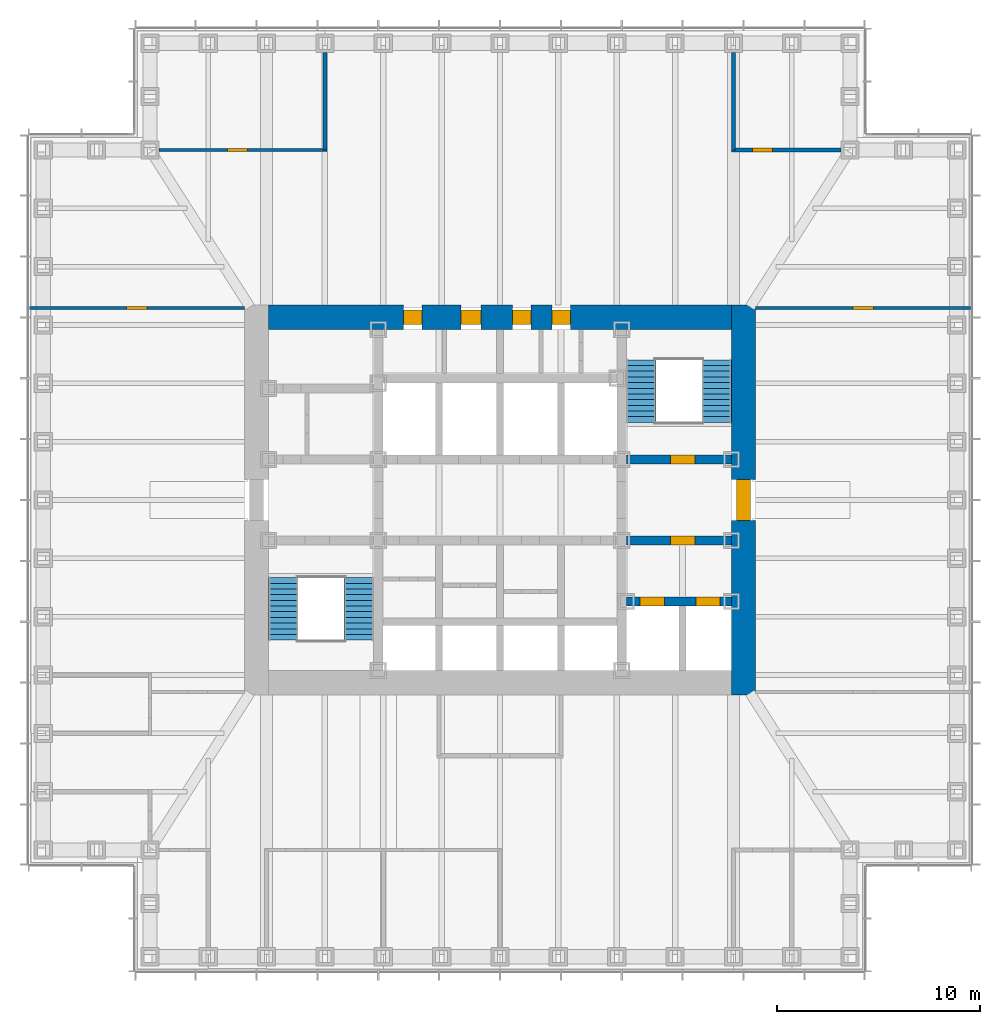
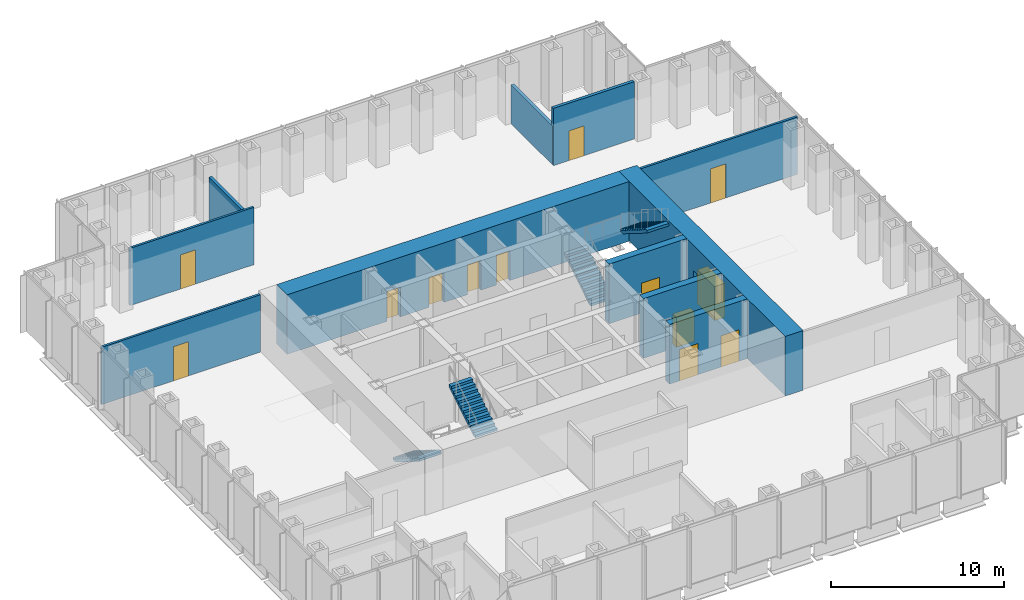
# One storey, part 10 of 16: 13 doors, 11 walls, 4 stair flights, 13 openings, 2 elements without a shape of their own.
"""IFC4 building model written with IfcOpenShell, lengths in metres."""

from ifc_helpers import new_model, si_unit, direction, frame, frame_2d, origin, place, context, subcontext, project, spatial, polyline, rectangle, outline, extrude, material, layer, layer_set, type_object, element, fill, aggregate, save


model = new_model("IFC4")

# Units and contexts
model_context = context("Model", 3, precision=1e-05, world=origin(), true_north=direction((0.0, 1.0)))
body_context = subcontext(model_context, "Body", "Model", "MODEL_VIEW")
ifc_project = project(units=[si_unit("LENGTHUNIT", "METRE"), si_unit("AREAUNIT", "SQUARE_METRE"), si_unit("VOLUMEUNIT", "CUBIC_METRE"), si_unit("PLANEANGLEUNIT", "RADIAN"), si_unit("MASSUNIT", "GRAM", prefix="KILO")], contexts=[model_context])

# Site, building, storey
site_placement = place(None, origin())
site = spatial("IfcSite", under=ifc_project, at=site_placement, CompositionType="ELEMENT")
building_placement = place(site_placement, origin())
building = spatial("IfcBuilding", under=site, at=building_placement, Name="Daluyong Arena Tower", CompositionType="ELEMENT")
storey_placement = place(building_placement, frame((0.0, 0.0, 116.5)))
storey = spatial("IfcBuildingStorey", under=building, at=storey_placement, Name="L25", CompositionType="ELEMENT", Elevation=116.5)

# Wall, openings, doors
ifc_material_1 = material(Name="Concrete fc' 45 MPa", Category="concrete")
ifc_layer_1 = layer(ifc_material_1, 0.449951171875)
ifc_layer_set_1 = layer_set([ifc_layer_1], Name="Concrete fc' 45 MPa")
wall_type_1 = type_object("IfcWallType", Name="Core inner wall 450", PredefinedType="SHEAR", material=ifc_layer_set_1)
wall_1_placement = place(storey_placement, frame((62.22509765625, 75.0, 0.0), z_axis=(0.0, 0.0, 1.0), x_axis=(1.0, 0.0, 0.0)))
wall_1 = element("IfcWall", 1, at=wall_1_placement, inside=storey, type_object=wall_type_1, Name="core inner wall at L25", PredefinedType="SHEAR", context=body_context, shape_type="SweptSolid", body=[
    extrude(rectangle(XDim=5.1748046875, YDim=0.449951171875, at=frame_2d((2.58740234375, 0.0))), origin(), (0.0, 0.0, 1.0), 4.199951171875),
])
opening_1_placement = place(wall_1_placement, frame((0.675048828125, 0.0, 0.0)))
opening_1 = element("IfcOpeningElement", 2, at=opening_1_placement, cuts=wall_1, Name="Opening 25027", PredefinedType="OPENING", context=body_context, shape_type="SweptSolid", body=[
    extrude(rectangle(XDim=1.199951171875, YDim=2.199951171875, at=frame_2d((0.60009765625, 1.10009765625))), frame((0.0, 0.23486328125, 0.0), z_axis=(0.0, -1.0, 0.0), x_axis=(1.0, 0.0, 0.0)), (0.0, 0.0, 1.0), 0.469970703125),
])
opening_2_placement = place(wall_1_placement, frame((3.425048828125, 0.0, 0.0)))
opening_2 = element("IfcOpeningElement", 3, at=opening_2_placement, cuts=wall_1, Name="Opening 25028", PredefinedType="OPENING", context=body_context, shape_type="SweptSolid", body=[
    extrude(rectangle(XDim=1.199951171875, YDim=2.199951171875, at=frame_2d((0.60009765625, 1.10009765625))), frame((0.0, 0.23486328125, 0.0), z_axis=(0.0, -1.0, 0.0), x_axis=(1.0, 0.0, 0.0)), (0.0, 0.0, 1.0), 0.469970703125),
])
ifc_material_2 = material(Name="Steel door, fire rated", Category="steel")
door_type_1 = type_object("IfcDoorType", Name="Firefighting lift landing door 1200", OperationType="SLIDING_TO_LEFT", PredefinedType="DOOR", material=ifc_material_2)
door_1_placement = place(opening_1_placement, origin())
door_1 = element("IfcDoor", 4, at=door_1_placement, inside=storey, type_object=door_type_1, Name="firefighting lift landing door F1 25027", OperationType="SLIDING_TO_LEFT", OverallHeight=2.199951171875, OverallWidth=1.199951171875, PredefinedType="DOOR", context=body_context, shape_type="SweptSolid", body=[
    extrude(rectangle(XDim=1.199951171875, YDim=2.199951171875, at=frame_2d((0.60009765625, 1.10009765625))), frame((0.0, 0.224609375, 0.0), z_axis=(0.0, -1.0, 0.0), x_axis=(1.0, 0.0, 0.0)), (0.0, 0.0, 1.0), 0.449462890625),
])
fill(opening_1, door_1)
door_2_placement = place(opening_2_placement, origin())
door_2 = element("IfcDoor", 5, at=door_2_placement, inside=storey, type_object=door_type_1, Name="firefighting lift landing door F2 25028", OperationType="SLIDING_TO_LEFT", OverallHeight=2.199951171875, OverallWidth=1.199951171875, PredefinedType="DOOR", context=body_context, shape_type="SweptSolid", body=[
    extrude(rectangle(XDim=1.199951171875, YDim=2.199951171875, at=frame_2d((0.60009765625, 1.10009765625))), frame((0.0, 0.224609375, 0.0), z_axis=(0.0, -1.0, 0.0), x_axis=(1.0, 0.0, 0.0)), (0.0, 0.0, 1.0), 0.449462890625),
])
fill(opening_2, door_2)

# Wall, opening, door
wall_2_placement = place(storey_placement, frame((62.22509765625, 78.0, 0.0), z_axis=(0.0, 0.0, 1.0), x_axis=(1.0, 0.0, 0.0)))
wall_2 = element("IfcWall", 6, at=wall_2_placement, inside=storey, type_object=wall_type_1, Name="core inner wall at L25", PredefinedType="SHEAR", context=body_context, shape_type="SweptSolid", body=[
    extrude(rectangle(XDim=5.1748046875, YDim=0.449951171875, at=frame_2d((2.58740234375, 0.0))), origin(), (0.0, 0.0, 1.0), 4.199951171875),
])
opening_3_placement = place(wall_2_placement, frame((2.175048828125, 0.0, 0.0)))
opening_3 = element("IfcOpeningElement", 7, at=opening_3_placement, cuts=wall_2, Name="Opening 25022", PredefinedType="OPENING", context=body_context, shape_type="SweptSolid", body=[
    extrude(rectangle(XDim=1.199951171875, YDim=2.10009765625, at=frame_2d((0.60009765625, 1.050048828125))), frame((0.0, 0.23486328125, 0.0), z_axis=(0.0, -1.0, 0.0), x_axis=(1.0, 0.0, 0.0)), (0.0, 0.0, 1.0), 0.469970703125),
])
ifc_material_3 = material(Name="Steel door, fire rated", Category="steel")
door_type_2 = type_object("IfcDoorType", Name="Firefighting lobby door 1200", OperationType="SINGLE_SWING_RIGHT", PredefinedType="DOOR", material=ifc_material_3)
door_3_placement = place(opening_3_placement, origin())
door_3 = element("IfcDoor", 8, at=door_3_placement, inside=storey, type_object=door_type_2, Name="firefighting lobby door 25022", OperationType="SINGLE_SWING_RIGHT", OverallHeight=2.10009765625, OverallWidth=1.199951171875, PredefinedType="DOOR", context=body_context, shape_type="SweptSolid", body=[
    extrude(rectangle(XDim=1.199951171875, YDim=2.10009765625, at=frame_2d((0.60009765625, 1.050048828125))), frame((0.0, 0.224609375, 0.0), z_axis=(0.0, -1.0, 0.0), x_axis=(1.0, 0.0, 0.0)), (0.0, 0.0, 1.0), 0.449462890625),
])
fill(opening_3, door_3)

wall_3_placement = place(storey_placement, frame((62.22509765625, 82.0, 0.0), z_axis=(0.0, 0.0, 1.0), x_axis=(1.0, 0.0, 0.0)))
wall_3 = element("IfcWall", 9, at=wall_3_placement, inside=storey, type_object=wall_type_1, Name="core inner wall at L25", PredefinedType="SHEAR", context=body_context, shape_type="SweptSolid", body=[
    extrude(rectangle(XDim=5.1748046875, YDim=0.449951171875, at=frame_2d((2.58740234375, 0.0))), origin(), (0.0, 0.0, 1.0), 4.199951171875),
])
opening_4_placement = place(wall_3_placement, frame((2.175048828125, 0.0, 0.0)))
opening_4 = element("IfcOpeningElement", 10, at=opening_4_placement, cuts=wall_3, Name="Opening 25017", PredefinedType="OPENING", context=body_context, shape_type="SweptSolid", body=[
    extrude(rectangle(XDim=1.199951171875, YDim=2.10009765625, at=frame_2d((0.60009765625, 1.050048828125))), frame((0.0, 0.23486328125, 0.0), z_axis=(0.0, -1.0, 0.0), x_axis=(1.0, 0.0, 0.0)), (0.0, 0.0, 1.0), 0.469970703125),
])
ifc_material_4 = material(Name="Steel door, fire rated", Category="steel")
door_type_3 = type_object("IfcDoorType", Name="Stair door 1200", OperationType="SINGLE_SWING_LEFT", PredefinedType="DOOR", material=ifc_material_4)
door_4_placement = place(opening_4_placement, origin())
door_4 = element("IfcDoor", 11, at=door_4_placement, inside=storey, type_object=door_type_3, Name="stair B door 25017", OperationType="SINGLE_SWING_LEFT", OverallHeight=2.10009765625, OverallWidth=1.199951171875, PredefinedType="DOOR", context=body_context, shape_type="SweptSolid", body=[
    extrude(rectangle(XDim=1.199951171875, YDim=2.10009765625, at=frame_2d((0.60009765625, 1.050048828125))), frame((0.0, 0.224609375, 0.0), z_axis=(0.0, -1.0, 0.0), x_axis=(1.0, 0.0, 0.0)), (0.0, 0.0, 1.0), 0.449462890625),
])
fill(opening_4, door_4)

ifc_material_5 = material(Name="Concrete fc' 60 MPa", Category="concrete")
ifc_layer_2 = layer(ifc_material_5, 1.199951171875)
ifc_layer_set_2 = layer_set([ifc_layer_2], Name="Concrete fc' 60 MPa")
wall_type_2 = type_object("IfcWallType", Name="Core wall 1200", PredefinedType="SHEAR", material=ifc_layer_set_2)
wall_4_placement = place(storey_placement, frame((68.0, 70.39990234375, 0.0), z_axis=(0.0, 0.0, 1.0), x_axis=(0.0, 1.0, 0.0)))
wall_4 = element("IfcWall", 12, at=wall_4_placement, inside=storey, type_object=wall_type_2, Name="core wall at L25", PredefinedType="SHEAR", context=body_context, shape_type="SweptSolid", body=[
    extrude(rectangle(XDim=19.2001953125, YDim=1.199951171875, at=frame_2d((9.60009765625, 0.0))), origin(), (0.0, 0.0, 1.0), 4.199951171875),
])
opening_5_placement = place(wall_4_placement, frame((8.60009765625, 0.0, 0.0)))
opening_5 = element("IfcOpeningElement", 13, at=opening_5_placement, cuts=wall_4, Name="Opening 25019", PredefinedType="OPENING", context=body_context, shape_type="SweptSolid", body=[
    extrude(rectangle(XDim=2.0, YDim=2.39990234375, at=frame_2d((1.0, 1.199951171875))), frame((0.0, 0.60986328125, 0.0), z_axis=(0.0, -1.0, 0.0), x_axis=(1.0, 0.0, 0.0)), (0.0, 0.0, 1.0), 1.219970703125),
])
ifc_material_6 = material(Name="Steel door, fire rated", Category="steel")
door_type_4 = type_object("IfcDoorType", Name="Core lobby double door 2000", OperationType="DOUBLE_DOOR_SINGLE_SWING", PredefinedType="DOOR", material=ifc_material_6)
door_5_placement = place(opening_5_placement, origin())
door_5 = element("IfcDoor", 14, at=door_5_placement, inside=storey, type_object=door_type_4, Name="core lobby door east 25019", OperationType="DOUBLE_DOOR_SINGLE_SWING", OverallHeight=2.39990234375, OverallWidth=2.0, PredefinedType="DOOR", context=body_context, shape_type="SweptSolid", body=[
    extrude(rectangle(XDim=2.0, YDim=2.39990234375, at=frame_2d((1.0, 1.199951171875))), frame((0.0, 0.35009765625, 0.0), z_axis=(0.0, -1.0, 0.0), x_axis=(1.0, 0.0, 0.0)), (0.0, 0.0, 1.0), 0.699951171875),
])
fill(opening_5, door_5)

# Wall, openings, doors
wall_5_placement = place(storey_placement, frame((44.60009765625, 89.0, 0.0), z_axis=(0.0, 0.0, 1.0), x_axis=(1.0, 0.0, 0.0)))
wall_5 = element("IfcWall", 15, at=wall_5_placement, inside=storey, type_object=wall_type_2, Name="core wall at L25", PredefinedType="SHEAR", context=body_context, shape_type="SweptSolid", body=[
    extrude(rectangle(XDim=22.7998046875, YDim=1.199951171875, at=frame_2d((11.39990234375, 0.0))), origin(), (0.0, 0.0, 1.0), 4.199951171875),
])
opening_6_placement = place(wall_5_placement, frame((9.47509765625, 0.0, 0.0)))
opening_6 = element("IfcOpeningElement", 16, at=opening_6_placement, cuts=wall_5, Name="Opening 25004", PredefinedType="OPENING", context=body_context, shape_type="SweptSolid", body=[
    extrude(rectangle(XDim=1.0, YDim=2.10009765625, at=frame_2d((0.5, 1.050048828125))), frame((0.0, 0.60986328125, 0.0), z_axis=(0.0, -1.0, 0.0), x_axis=(1.0, 0.0, 0.0)), (0.0, 0.0, 1.0), 1.219970703125),
])
opening_7_placement = place(wall_5_placement, frame((6.64990234375, 0.0, 0.0)))
opening_7 = element("IfcOpeningElement", 17, at=opening_7_placement, cuts=wall_5, Name="Opening 25005", PredefinedType="OPENING", context=body_context, shape_type="SweptSolid", body=[
    extrude(rectangle(XDim=0.89990234375, YDim=2.10009765625, at=frame_2d((0.449951171875, 1.050048828125))), frame((0.0, 0.60986328125, 0.0), z_axis=(0.0, -1.0, 0.0), x_axis=(1.0, 0.0, 0.0)), (0.0, 0.0, 1.0), 1.219970703125),
])
opening_8_placement = place(wall_5_placement, frame((12.02490234375, 0.0, 0.0)))
opening_8 = element("IfcOpeningElement", 18, at=opening_8_placement, cuts=wall_5, Name="Opening 25006", PredefinedType="OPENING", context=body_context, shape_type="SweptSolid", body=[
    extrude(rectangle(XDim=0.89990234375, YDim=2.10009765625, at=frame_2d((0.449951171875, 1.050048828125))), frame((0.0, 0.60986328125, 0.0), z_axis=(0.0, -1.0, 0.0), x_axis=(1.0, 0.0, 0.0)), (0.0, 0.0, 1.0), 1.219970703125),
])
opening_9_placement = place(wall_5_placement, frame((13.96240234375, 0.0, 0.0)))
opening_9 = element("IfcOpeningElement", 19, at=opening_9_placement, cuts=wall_5, Name="Opening 25007", PredefinedType="OPENING", context=body_context, shape_type="SweptSolid", body=[
    extrude(rectangle(XDim=0.89990234375, YDim=2.10009765625, at=frame_2d((0.449951171875, 1.050048828125))), frame((0.0, 0.60986328125, 0.0), z_axis=(0.0, -1.0, 0.0), x_axis=(1.0, 0.0, 0.0)), (0.0, 0.0, 1.0), 1.219970703125),
])
ifc_material_7 = material(Name="Timber door", Category="wood")
door_type_5 = type_object("IfcDoorType", Name="Accessible toilet door 1000", OperationType="SINGLE_SWING_LEFT", PredefinedType="DOOR", material=ifc_material_7)
door_6_placement = place(opening_6_placement, origin())
door_6 = element("IfcDoor", 20, at=door_6_placement, inside=storey, type_object=door_type_5, Name="accessible toilet door 25004", OperationType="SINGLE_SWING_LEFT", OverallHeight=2.10009765625, OverallWidth=1.0, PredefinedType="DOOR", context=body_context, shape_type="SweptSolid", body=[
    extrude(rectangle(XDim=1.0, YDim=2.10009765625, at=frame_2d((0.5, 1.050048828125))), frame((0.0, 0.35009765625, 0.0), z_axis=(0.0, -1.0, 0.0), x_axis=(1.0, 0.0, 0.0)), (0.0, 0.0, 1.0), 0.699951171875),
])
fill(opening_6, door_6)
ifc_material_8 = material(Name="Steel door, fire rated", Category="steel")
door_type_6 = type_object("IfcDoorType", Name="Core room door 900", OperationType="SINGLE_SWING_LEFT", PredefinedType="DOOR", material=ifc_material_8)
door_7_placement = place(opening_7_placement, origin())
door_7 = element("IfcDoor", 21, at=door_7_placement, inside=storey, type_object=door_type_6, Name="parcel room door 25005", OperationType="SINGLE_SWING_LEFT", OverallHeight=2.10009765625, OverallWidth=0.89990234375, PredefinedType="DOOR", context=body_context, shape_type="SweptSolid", body=[
    extrude(rectangle(XDim=0.89990234375, YDim=2.10009765625, at=frame_2d((0.449951171875, 1.050048828125))), frame((0.0, 0.35009765625, 0.0), z_axis=(0.0, -1.0, 0.0), x_axis=(1.0, 0.0, 0.0)), (0.0, 0.0, 1.0), 0.699951171875),
])
fill(opening_7, door_7)
door_8_placement = place(opening_8_placement, origin())
door_8 = element("IfcDoor", 22, at=door_8_placement, inside=storey, type_object=door_type_6, Name="mail room door 25006", OperationType="SINGLE_SWING_LEFT", OverallHeight=2.10009765625, OverallWidth=0.89990234375, PredefinedType="DOOR", context=body_context, shape_type="SweptSolid", body=[
    extrude(rectangle(XDim=0.89990234375, YDim=2.10009765625, at=frame_2d((0.449951171875, 1.050048828125))), frame((0.0, 0.35009765625, 0.0), z_axis=(0.0, -1.0, 0.0), x_axis=(1.0, 0.0, 0.0)), (0.0, 0.0, 1.0), 0.699951171875),
])
fill(opening_8, door_8)
ifc_material_9 = material(Name="Steel door, fire rated", Category="steel")
door_type_7 = type_object("IfcDoorType", Name="Core store door 900", OperationType="SINGLE_SWING_LEFT", PredefinedType="DOOR", material=ifc_material_9)
door_9_placement = place(opening_9_placement, origin())
door_9 = element("IfcDoor", 23, at=door_9_placement, inside=storey, type_object=door_type_7, Name="tenant store door 25007", OperationType="SINGLE_SWING_LEFT", OverallHeight=2.10009765625, OverallWidth=0.89990234375, PredefinedType="DOOR", context=body_context, shape_type="SweptSolid", body=[
    extrude(rectangle(XDim=0.89990234375, YDim=2.10009765625, at=frame_2d((0.449951171875, 1.050048828125))), frame((0.0, 0.35009765625, 0.0), z_axis=(0.0, -1.0, 0.0), x_axis=(1.0, 0.0, 0.0)), (0.0, 0.0, 1.0), 0.699951171875),
])
fill(opening_9, door_9)

# Wall, opening, door
ifc_material_10 = material(Name="Glazed aluminium partition", Category="aluminium")
ifc_layer_3 = layer(ifc_material_10, 0.14990234375)
ifc_layer_set_3 = layer_set([ifc_layer_3], Name="Glazed aluminium partition")
wall_type_3 = type_object("IfcWallType", Name="Glazed partition 150", PredefinedType="PARTITIONING", material=ifc_layer_set_3)
wall_6_placement = place(storey_placement, frame((32.81005859375, 89.449951171875, 0.0), z_axis=(0.0, 0.0, 1.0), x_axis=(1.0, 0.0, 0.0)))
wall_6 = element("IfcWall", 24, at=wall_6_placement, inside=storey, type_object=wall_type_3, Name="glazed partition at L25", PredefinedType="PARTITIONING", context=body_context, shape_type="SweptSolid", body=[
    extrude(rectangle(XDim=10.58984375, YDim=0.14990234375, at=frame_2d((5.294921875, 0.0))), origin(), (0.0, 0.0, 1.0), 4.0400390625),
])
opening_10_placement = place(wall_6_placement, frame((4.794921875, 0.0, 0.0)))
opening_10 = element("IfcOpeningElement", 25, at=opening_10_placement, cuts=wall_6, Name="Opening 25040", PredefinedType="OPENING", context=body_context, shape_type="SweptSolid", body=[
    extrude(rectangle(XDim=1.0, YDim=2.39990234375, at=frame_2d((0.5, 1.199951171875))), frame((0.0, 0.0849609375, 0.0), z_axis=(0.0, -1.0, 0.0), x_axis=(1.0, 0.0, 0.0)), (0.0, 0.0, 1.0), 0.169921875),
])
ifc_material_11 = material(Name="Glazed aluminium door", Category="aluminium")
door_type_8 = type_object("IfcDoorType", Name="Meeting room glazed door 1000", OperationType="SINGLE_SWING_RIGHT", PredefinedType="DOOR", material=ifc_material_11)
door_10_placement = place(opening_10_placement, origin())
door_10 = element("IfcDoor", 26, at=door_10_placement, inside=storey, type_object=door_type_8, Name="team area screen door 25040", OperationType="SINGLE_SWING_RIGHT", OverallHeight=2.39990234375, OverallWidth=1.0, PredefinedType="DOOR", context=body_context, shape_type="SweptSolid", body=[
    extrude(rectangle(XDim=1.0, YDim=2.39990234375, at=frame_2d((0.5, 1.199951171875))), frame((0.0, 0.07470703125, 0.0), z_axis=(0.0, -1.0, 0.0), x_axis=(1.0, 0.0, 0.0)), (0.0, 0.0, 1.0), 0.1494140625),
])
fill(opening_10, door_10)

wall_7_placement = place(storey_placement, frame((68.60009765625, 89.449951171875, 0.0), z_axis=(0.0, 0.0, 1.0), x_axis=(1.0, 0.0, 0.0)))
wall_7 = element("IfcWall", 27, at=wall_7_placement, inside=storey, type_object=wall_type_3, Name="glazed partition at L25", PredefinedType="PARTITIONING", context=body_context, shape_type="SweptSolid", body=[
    extrude(rectangle(XDim=10.58984375, YDim=0.14990234375, at=frame_2d((5.294921875, 0.0))), origin(), (0.0, 0.0, 1.0), 4.0400390625),
])
opening_11_placement = place(wall_7_placement, frame((4.794921875, 0.0, 0.0)))
opening_11 = element("IfcOpeningElement", 28, at=opening_11_placement, cuts=wall_7, Name="Opening 25042", PredefinedType="OPENING", context=body_context, shape_type="SweptSolid", body=[
    extrude(rectangle(XDim=1.0, YDim=2.39990234375, at=frame_2d((0.5, 1.199951171875))), frame((0.0, 0.0849609375, 0.0), z_axis=(0.0, -1.0, 0.0), x_axis=(1.0, 0.0, 0.0)), (0.0, 0.0, 1.0), 0.169921875),
])
door_11_placement = place(opening_11_placement, origin())
door_11 = element("IfcDoor", 29, at=door_11_placement, inside=storey, type_object=door_type_8, Name="team area screen door 25042", OperationType="SINGLE_SWING_RIGHT", OverallHeight=2.39990234375, OverallWidth=1.0, PredefinedType="DOOR", context=body_context, shape_type="SweptSolid", body=[
    extrude(rectangle(XDim=1.0, YDim=2.39990234375, at=frame_2d((0.5, 1.199951171875))), frame((0.0, 0.07470703125, 0.0), z_axis=(0.0, -1.0, 0.0), x_axis=(1.0, 0.0, 0.0)), (0.0, 0.0, 1.0), 0.1494140625),
])
fill(opening_11, door_11)

wall_8_placement = place(storey_placement, frame((39.199951171875, 97.25, 0.0), z_axis=(0.0, 0.0, 1.0), x_axis=(1.0, 0.0, 0.0)))
wall_8 = element("IfcWall", 30, at=wall_8_placement, inside=storey, type_object=wall_type_3, Name="glazed partition at L25", PredefinedType="PARTITIONING", context=body_context, shape_type="SweptSolid", body=[
    extrude(rectangle(XDim=8.275146484375, YDim=0.14990234375, at=frame_2d((4.1376953125, 0.0))), origin(), (0.0, 0.0, 1.0), 4.0400390625),
])
opening_12_placement = place(wall_8_placement, frame((3.362548828125, 0.0, 0.0)))
opening_12 = element("IfcOpeningElement", 31, at=opening_12_placement, cuts=wall_8, Name="Opening 25034", PredefinedType="OPENING", context=body_context, shape_type="SweptSolid", body=[
    extrude(rectangle(XDim=1.0, YDim=2.39990234375, at=frame_2d((0.5, 1.199951171875))), frame((0.0, 0.0849609375, 0.0), z_axis=(0.0, -1.0, 0.0), x_axis=(1.0, 0.0, 0.0)), (0.0, 0.0, 1.0), 0.169921875),
])
door_12_placement = place(opening_12_placement, origin())
door_12 = element("IfcDoor", 32, at=door_12_placement, inside=storey, type_object=door_type_8, Name="meeting room door 25034", OperationType="SINGLE_SWING_RIGHT", OverallHeight=2.39990234375, OverallWidth=1.0, PredefinedType="DOOR", context=body_context, shape_type="SweptSolid", body=[
    extrude(rectangle(XDim=1.0, YDim=2.39990234375, at=frame_2d((0.5, 1.199951171875))), frame((0.0, 0.07470703125, 0.0), z_axis=(0.0, -1.0, 0.0), x_axis=(1.0, 0.0, 0.0)), (0.0, 0.0, 1.0), 0.1494140625),
])
fill(opening_12, door_12)

# Walls
ifc_material_12 = material(Name="Concrete block partition", Category="concrete")
ifc_layer_4 = layer(ifc_material_12, 0.199951171875)
ifc_layer_set_4 = layer_set([ifc_layer_4], Name="Concrete block partition")
wall_type_4 = type_object("IfcWallType", Name="Partition 200", PredefinedType="PARTITIONING", material=ifc_layer_set_4)
wall_9_placement = place(storey_placement, frame((47.375, 97.25, 0.0), z_axis=(0.0, 0.0, 1.0), x_axis=(0.0, 1.0, 0.0)))
element("IfcWall", 33, at=wall_9_placement, inside=storey, type_object=wall_type_4, Name="partition at L25", PredefinedType="PARTITIONING", context=body_context, shape_type="SweptSolid", body=[
    extrude(rectangle(XDim=4.800048828125, YDim=0.199951171875, at=frame_2d((2.39990234375, 0.0))), origin(), (0.0, 0.0, 1.0), 3.278076171875),
])
wall_10_placement = place(storey_placement, frame((67.5, 97.25, 0.0), z_axis=(0.0, 0.0, 1.0), x_axis=(0.0, 1.0, 0.0)))
element("IfcWall", 34, at=wall_10_placement, inside=storey, type_object=wall_type_4, Name="partition at L25", PredefinedType="PARTITIONING", context=body_context, shape_type="SweptSolid", body=[
    extrude(rectangle(XDim=4.800048828125, YDim=0.199951171875, at=frame_2d((2.39990234375, 0.0))), origin(), (0.0, 0.0, 1.0), 2.739990234375),
])

# Wall, opening, door
wall_11_placement = place(storey_placement, frame((67.39990234375, 97.25, 0.0), z_axis=(0.0, 0.0, 1.0), x_axis=(1.0, 0.0, 0.0)))
wall_11 = element("IfcWall", 35, at=wall_11_placement, inside=storey, type_object=wall_type_4, Name="partition at L25", PredefinedType="PARTITIONING", context=body_context, shape_type="SweptSolid", body=[
    extrude(rectangle(XDim=5.400146484375, YDim=0.199951171875, at=frame_2d((2.7001953125, 0.0))), origin(), (0.0, 0.0, 1.0), 4.0400390625),
])
opening_13_placement = place(wall_11_placement, frame((1.03759765625, 0.0, 0.0)))
opening_13 = element("IfcOpeningElement", 36, at=opening_13_placement, cuts=wall_11, Name="Opening 25035", PredefinedType="OPENING", context=body_context, shape_type="SweptSolid", body=[
    extrude(rectangle(XDim=1.0, YDim=2.10009765625, at=frame_2d((0.5, 1.050048828125))), frame((0.0, 0.10986328125, 0.0), z_axis=(0.0, -1.0, 0.0), x_axis=(1.0, 0.0, 0.0)), (0.0, 0.0, 1.0), 0.219970703125),
])
ifc_material_13 = material(Name="Timber door", Category="wood")
door_type_9 = type_object("IfcDoorType", Name="Room door 1000", OperationType="SINGLE_SWING_LEFT", PredefinedType="DOOR", material=ifc_material_13)
door_13_placement = place(opening_13_placement, origin())
door_13 = element("IfcDoor", 37, at=door_13_placement, inside=storey, type_object=door_type_9, Name="pantry door 25035", OperationType="SINGLE_SWING_LEFT", OverallHeight=2.10009765625, OverallWidth=1.0, PredefinedType="DOOR", context=body_context, shape_type="SweptSolid", body=[
    extrude(rectangle(XDim=1.0, YDim=2.10009765625, at=frame_2d((0.5, 1.050048828125))), frame((0.0, 0.099609375, 0.0), z_axis=(0.0, -1.0, 0.0), x_axis=(1.0, 0.0, 0.0)), (0.0, 0.0, 1.0), 0.199462890625),
])
fill(opening_13, door_13)

# Stair, stair flights
ifc_material_14 = material(Name="Concrete fc' 35 MPa", Category="concrete")
stair_type = type_object("IfcStairType", Name="Core exit stair", PredefinedType="HALF_TURN_STAIR", material=ifc_material_14)
stair_1_placement = place(storey_placement, origin())
stair_1 = element("IfcStair", 38, at=stair_1_placement, inside=storey, type_object=stair_type, Name="exit stair A L25", PredefinedType="HALF_TURN_STAIR")
ifc_material_15 = material(Name="Concrete fc' 35 MPa", Category="concrete")
stair_flight_type = type_object("IfcStairFlightType", Name="Core stair flight", PredefinedType="STRAIGHT", material=ifc_material_15)
stair_flight_1_placement = place(storey_placement, frame((45.324951171875, 76.175048828125, 0.0), z_axis=(0.0, 0.0, 1.0), x_axis=(0.0, -1.0, 0.0)))
stair_flight_1 = element("IfcStairFlight", 39, at=stair_flight_1_placement, type_object=stair_flight_type, Name="STA flight 1", NumberOfRisers=12, NumberOfTreads=11, PredefinedType="STRAIGHT", RiserHeight=0.175, TreadLength=0.28, context=body_context, shape_type="SweptSolid", body=[
    extrude(outline(polyline([(0.0, 0.0), (0.0, 0.175048828125), (0.280029296875, 0.175048828125), (0.280029296875, 0.35009765625), (0.56005859375, 0.35009765625), (0.56005859375, 0.52490234375), (0.840087890625, 0.52490234375), (0.840087890625, 0.699951171875), (1.1201171875, 0.699951171875), (1.1201171875, 0.875), (1.39990234375, 0.875), (1.39990234375, 1.050048828125), (1.679931640625, 1.050048828125), (1.679931640625, 1.22509765625), (1.9599609375, 1.22509765625), (1.9599609375, 1.39990234375), (2.239990234375, 1.39990234375), (2.239990234375, 1.574951171875), (2.52001953125, 1.574951171875), (2.52001953125, 1.75), (2.800048828125, 1.75), (2.800048828125, 1.925048828125), (3.080078125, 1.925048828125), (3.080078125, 2.10009765625), (3.080078125, 1.748291015625), (0.28271484375, 0.0), (0.0, 0.0)])), frame((0.0, 0.72509765625, 0.0), z_axis=(0.0, -1.0, 0.0), x_axis=(1.0, 0.0, 0.0)), (0.0, 0.0, 1.0), 1.449951171875),
])
stair_flight_2_placement = place(storey_placement, frame((49.050048828125, 73.094970703125, 2.10009765625), z_axis=(0.0, 0.0, 1.0), x_axis=(0.0, 1.0, 0.0)))
stair_flight_2 = element("IfcStairFlight", 40, at=stair_flight_2_placement, type_object=stair_flight_type, Name="STA flight 2", NumberOfRisers=12, NumberOfTreads=11, PredefinedType="STRAIGHT", RiserHeight=0.175, TreadLength=0.28, context=body_context, shape_type="SweptSolid", body=[
    extrude(outline(polyline([(0.0, 0.0), (0.0, 0.175048828125), (0.280029296875, 0.175048828125), (0.280029296875, 0.35009765625), (0.56005859375, 0.35009765625), (0.56005859375, 0.52490234375), (0.840087890625, 0.52490234375), (0.840087890625, 0.699951171875), (1.1201171875, 0.699951171875), (1.1201171875, 0.875), (1.39990234375, 0.875), (1.39990234375, 1.050048828125), (1.679931640625, 1.050048828125), (1.679931640625, 1.22509765625), (1.9599609375, 1.22509765625), (1.9599609375, 1.39990234375), (2.239990234375, 1.39990234375), (2.239990234375, 1.574951171875), (2.52001953125, 1.574951171875), (2.52001953125, 1.75), (2.800048828125, 1.75), (2.800048828125, 1.925048828125), (3.080078125, 1.925048828125), (3.080078125, 2.10009765625), (3.080078125, 1.748291015625), (0.28271484375, 0.0), (0.0, 0.0)])), frame((0.0, 0.72509765625, 0.0), z_axis=(0.0, -1.0, 0.0), x_axis=(1.0, 0.0, 0.0)), (0.0, 0.0, 1.0), 1.449951171875),
])
aggregate(stair_1, [stair_flight_1, stair_flight_2])

stair_2_placement = place(storey_placement, origin())
stair_2 = element("IfcStair", 41, at=stair_2_placement, inside=storey, type_object=stair_type, Name="exit stair B L25", PredefinedType="HALF_TURN_STAIR")
stair_flight_3_placement = place(storey_placement, frame((62.949951171875, 83.824951171875, 0.0), z_axis=(0.0, 0.0, 1.0), x_axis=(0.0, 1.0, 0.0)))
stair_flight_3 = element("IfcStairFlight", 42, at=stair_flight_3_placement, type_object=stair_flight_type, Name="STB flight 1", NumberOfRisers=12, NumberOfTreads=11, PredefinedType="STRAIGHT", RiserHeight=0.175, TreadLength=0.28, context=body_context, shape_type="SweptSolid", body=[
    extrude(outline(polyline([(0.0, 0.0), (0.0, 0.175048828125), (0.280029296875, 0.175048828125), (0.280029296875, 0.35009765625), (0.56005859375, 0.35009765625), (0.56005859375, 0.52490234375), (0.840087890625, 0.52490234375), (0.840087890625, 0.699951171875), (1.1201171875, 0.699951171875), (1.1201171875, 0.875), (1.39990234375, 0.875), (1.39990234375, 1.050048828125), (1.679931640625, 1.050048828125), (1.679931640625, 1.22509765625), (1.9599609375, 1.22509765625), (1.9599609375, 1.39990234375), (2.239990234375, 1.39990234375), (2.239990234375, 1.574951171875), (2.52001953125, 1.574951171875), (2.52001953125, 1.75), (2.800048828125, 1.75), (2.800048828125, 1.925048828125), (3.080078125, 1.925048828125), (3.080078125, 2.10009765625), (3.080078125, 1.748291015625), (0.28271484375, 0.0), (0.0, 0.0)])), frame((0.0, 0.72509765625, 0.0), z_axis=(0.0, -1.0, 0.0), x_axis=(1.0, 0.0, 0.0)), (0.0, 0.0, 1.0), 1.449951171875),
])
stair_flight_4_placement = place(storey_placement, frame((66.675048828125, 86.905029296875, 2.10009765625), z_axis=(0.0, 0.0, 1.0), x_axis=(0.0, -1.0, 0.0)))
stair_flight_4 = element("IfcStairFlight", 43, at=stair_flight_4_placement, type_object=stair_flight_type, Name="STB flight 2", NumberOfRisers=12, NumberOfTreads=11, PredefinedType="STRAIGHT", RiserHeight=0.175, TreadLength=0.28, context=body_context, shape_type="SweptSolid", body=[
    extrude(outline(polyline([(0.0, 0.0), (0.0, 0.175048828125), (0.280029296875, 0.175048828125), (0.280029296875, 0.35009765625), (0.56005859375, 0.35009765625), (0.56005859375, 0.52490234375), (0.840087890625, 0.52490234375), (0.840087890625, 0.699951171875), (1.1201171875, 0.699951171875), (1.1201171875, 0.875), (1.39990234375, 0.875), (1.39990234375, 1.050048828125), (1.679931640625, 1.050048828125), (1.679931640625, 1.22509765625), (1.9599609375, 1.22509765625), (1.9599609375, 1.39990234375), (2.239990234375, 1.39990234375), (2.239990234375, 1.574951171875), (2.52001953125, 1.574951171875), (2.52001953125, 1.75), (2.800048828125, 1.75), (2.800048828125, 1.925048828125), (3.080078125, 1.925048828125), (3.080078125, 2.10009765625), (3.080078125, 1.748291015625), (0.28271484375, 0.0), (0.0, 0.0)])), frame((0.0, 0.72509765625, 0.0), z_axis=(0.0, -1.0, 0.0), x_axis=(1.0, 0.0, 0.0)), (0.0, 0.0, 1.0), 1.449951171875),
])
aggregate(stair_2, [stair_flight_3, stair_flight_4])

save(model, "model.ifc")
